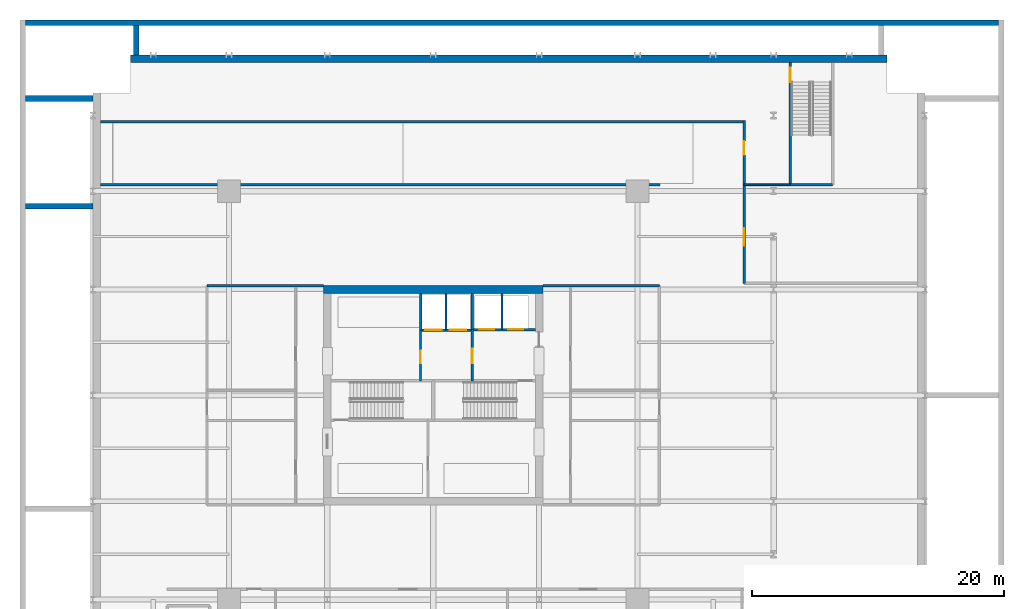
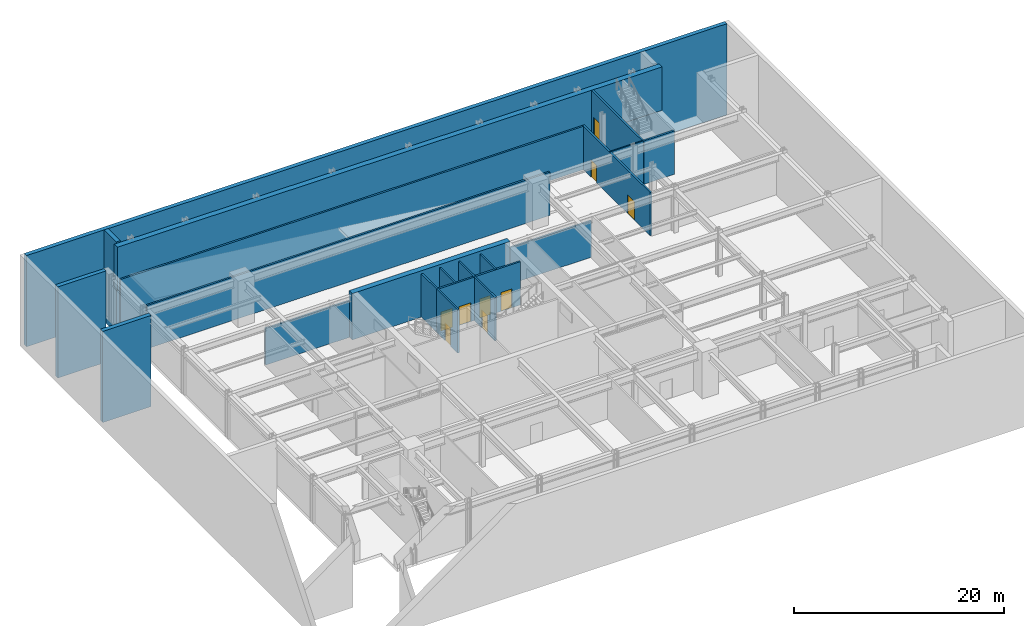
# One storey, part 4 of 9: 22 walls, 9 doors, 9 openings.
"""IFC4 building model written with IfcOpenShell, lengths in metres."""

from ifc_helpers import new_model, si_unit, direction, frame, frame_2d, origin, place, context, subcontext, project, spatial, rectangle, extrude, material, layer, layer_set, type_object, element, fill, save


model = new_model("IFC4")

# Units and contexts
model_context = context("Model", 3, precision=1e-05, world=origin(), true_north=direction((0.0, 1.0)))
body_context = subcontext(model_context, "Body", "Model", "MODEL_VIEW")
ifc_project = project(units=[si_unit("LENGTHUNIT", "METRE"), si_unit("AREAUNIT", "SQUARE_METRE"), si_unit("VOLUMEUNIT", "CUBIC_METRE"), si_unit("PLANEANGLEUNIT", "RADIAN"), si_unit("MASSUNIT", "GRAM", prefix="KILO")], contexts=[model_context])

# Site, building, storey
site_placement = place(None, origin())
site = spatial("IfcSite", under=ifc_project, at=site_placement, CompositionType="ELEMENT")
building_placement = place(site_placement, origin())
building = spatial("IfcBuilding", under=site, at=building_placement, Name="Drelvath Grand Hotel", CompositionType="ELEMENT")
storey_placement = place(building_placement, frame((0.0, 0.0, -5.39990234375)))
storey = spatial("IfcBuildingStorey", under=building, at=storey_placement, Name="B1", CompositionType="ELEMENT", Elevation=-5.39990234375)

# Walls
ifc_material_1 = material(Name="Concrete f'c 55 MPa", Category="concrete")
ifc_layer_1 = layer(ifc_material_1, 0.60009765625)
ifc_layer_set_1 = layer_set([ifc_layer_1], Name="Concrete f'c 55 MPa")
wall_type_1 = type_object("IfcWallType", Name="Basement Perimeter Retaining Wall 600", PredefinedType="USERDEFINED", material=ifc_layer_set_1)
wall_1_placement = place(storey_placement, frame((-24.0, 53.699951171875, 0.0), z_axis=(0.0, 0.0, 1.0), x_axis=(1.0, 0.0, 0.0)))
element("IfcWall", 1, at=wall_1_placement, inside=storey, type_object=wall_type_1, Name="B1 Perimeter Retaining Wall N", ObjectType="RETAININGWALL", PredefinedType="USERDEFINED", context=body_context, shape_type="SweptSolid", body=[
    extrude(rectangle(XDim=60.0, YDim=0.60009765625, at=frame_2d((30.0, 0.0))), origin(), (0.0, 0.0, 1.0), 5.0498046875),
])
wall_2_placement = place(storey_placement, frame((-32.324951171875, 56.550048828125, -5.400146484375), z_axis=(0.0, 0.0, 1.0), x_axis=(1.0, 0.0, 0.0)))
element("IfcWall", 2, at=wall_2_placement, inside=storey, type_object=wall_type_1, Name="Sidewalk Frost Retaining Wall CURB-N-OUT", ObjectType="RETAININGWALL", PredefinedType="USERDEFINED", context=body_context, shape_type="SweptSolid", body=[
    extrude(rectangle(XDim=77.14990234375, YDim=0.449951171875, at=frame_2d((38.574951171875, 0.0))), origin(), (0.0, 0.0, 1.0), 10.6201171875),
])
for number, where, z_axis, x_axis, name in (
    (3, (-32.324951171875, 42.0, -5.400146484375), (0.0, 0.0, 1.0), (1.0, 0.0, 0.0), "Sidewalk Frost Retaining Wall CURB-W-Y42"),
    (4, (-32.324951171875, 50.550048828125, -5.400146484375), (0.0, 0.0, 1.0), (1.0, 0.0, 0.0), "Sidewalk Frost Retaining Wall CURB-W-Y54"),
):
    element("IfcWall", number, at=place(storey_placement, frame(where, z_axis=z_axis, x_axis=x_axis)), inside=storey, type_object=wall_type_1, Name=name, ObjectType="RETAININGWALL", PredefinedType="USERDEFINED", context=body_context, shape_type="SweptSolid", body=[
        extrude(rectangle(XDim=5.324951171875, YDim=0.449951171875, at=frame_2d((2.66259765625, 0.0))), origin(), (0.0, 0.0, 1.0), 10.6201171875),
    ])
wall_3_placement = place(storey_placement, frame((-23.550048828125, 54.0, -5.400146484375), z_axis=(0.0, 0.0, 1.0), x_axis=(0.0, 1.0, 0.0)))
element("IfcWall", 5, at=wall_3_placement, inside=storey, type_object=wall_type_1, Name="Sidewalk Frost Retaining Wall CURB-N-X1", ObjectType="RETAININGWALL", PredefinedType="USERDEFINED", context=body_context, shape_type="SweptSolid", body=[
    extrude(rectangle(XDim=2.324951171875, YDim=0.449951171875, at=frame_2d((1.16259765625, 0.0))), origin(), (0.0, 0.0, 1.0), 10.6201171875),
])

# Wall, openings, doors
ifc_material_2 = material(Name="Concrete C40/50", Category="concrete")
ifc_layer_2 = layer(ifc_material_2, 0.199951171875)
ifc_layer_set_2 = layer_set([ifc_layer_2], Name="Concrete C40/50")
wall_type_2 = type_object("IfcWallType", Name="Core Hoistway Fire Wall 200", PredefinedType="SOLIDWALL", material=ifc_layer_set_2)
wall_4_placement = place(storey_placement, frame((3.10009765625, 32.219970703125, 0.0), z_axis=(0.0, 0.0, 1.0), x_axis=(1.0, 0.0, 0.0)))
wall_4 = element("IfcWall", 6, at=wall_4_placement, inside=storey, type_object=wall_type_2, Name="B1 FSAE Hoistway Front Wall", PredefinedType="SOLIDWALL", context=body_context, shape_type="SweptSolid", body=[
    extrude(rectangle(XDim=5.0, YDim=0.199951171875, at=frame_2d((2.5, 0.0))), origin(), (0.0, 0.0, 1.0), 5.0498046875),
])
opening_1_placement = place(wall_4_placement, frame((0.550048828125, 0.0, 0.0)))
opening_1 = element("IfcOpeningElement", 7, at=opening_1_placement, cuts=wall_4, Name="Opening LD-FSAE-1", PredefinedType="OPENING", context=body_context, shape_type="SweptSolid", body=[
    extrude(rectangle(XDim=1.199951171875, YDim=2.199951171875, at=frame_2d((0.60009765625, 1.10009765625))), frame((0.0, 0.10986328125, 0.0), z_axis=(0.0, -1.0, 0.0), x_axis=(1.0, 0.0, 0.0)), (0.0, 0.0, 1.0), 0.219970703125),
])
opening_2_placement = place(wall_4_placement, frame((2.85009765625, 0.0, 0.0)))
opening_2 = element("IfcOpeningElement", 8, at=opening_2_placement, cuts=wall_4, Name="Opening LD-FSAE-2", PredefinedType="OPENING", context=body_context, shape_type="SweptSolid", body=[
    extrude(rectangle(XDim=1.199951171875, YDim=2.199951171875, at=frame_2d((0.60009765625, 1.10009765625))), frame((0.0, 0.10986328125, 0.0), z_axis=(0.0, -1.0, 0.0), x_axis=(1.0, 0.0, 0.0)), (0.0, 0.0, 1.0), 0.219970703125),
])
ifc_material_3 = material(Name="Stainless Steel S355", Category="steel")
door_type_1 = type_object("IfcDoorType", Name="FSAE Lift Sliding Landing Door 1200x2200", OperationType="NOTDEFINED", PredefinedType="DOOR", material=ifc_material_3)
door_1_placement = place(opening_1_placement, origin())
door_1 = element("IfcDoor", 9, at=door_1_placement, inside=storey, type_object=door_type_1, Name="B1 Lift FSAE-1 Landing Door", OperationType="SLIDING_TO_LEFT", OverallHeight=2.199951171875, OverallWidth=1.199951171875, PredefinedType="DOOR", context=body_context, shape_type="SweptSolid", body=[
    extrude(rectangle(XDim=1.199951171875, YDim=2.199951171875, at=frame_2d((0.60009765625, 1.10009765625))), frame((0.0, 0.02490234375, 0.0), z_axis=(0.0, -1.0, 0.0), x_axis=(1.0, 0.0, 0.0)), (0.0, 0.0, 1.0), 0.050048828125),
])
fill(opening_1, door_1)
door_2_placement = place(opening_2_placement, origin())
door_2 = element("IfcDoor", 10, at=door_2_placement, inside=storey, type_object=door_type_1, Name="B1 Lift FSAE-2 Landing Door", OperationType="SLIDING_TO_LEFT", OverallHeight=2.199951171875, OverallWidth=1.199951171875, PredefinedType="DOOR", context=body_context, shape_type="SweptSolid", body=[
    extrude(rectangle(XDim=1.199951171875, YDim=2.199951171875, at=frame_2d((0.60009765625, 1.10009765625))), frame((0.0, 0.02490234375, 0.0), z_axis=(0.0, -1.0, 0.0), x_axis=(1.0, 0.0, 0.0)), (0.0, 0.0, 1.0), 0.050048828125),
])
fill(opening_2, door_2)

# Wall
wall_5_placement = place(storey_placement, frame((3.10009765625, 32.219970703125, 0.0), z_axis=(0.0, 0.0, 1.0), x_axis=(0.0, 1.0, 0.0)))
element("IfcWall", 11, at=wall_5_placement, inside=storey, type_object=wall_type_2, Name="B1 FSAE Hoistway West Wall", PredefinedType="SOLIDWALL", context=body_context, shape_type="SweptSolid", body=[
    extrude(rectangle(XDim=2.880126953125, YDim=0.199951171875, at=frame_2d((1.43994140625, 0.0))), origin(), (0.0, 0.0, 1.0), 5.0498046875),
])

# Wall, openings, doors
wall_6_placement = place(storey_placement, frame((-1.0, 32.179931640625, 0.0), z_axis=(0.0, 0.0, 1.0), x_axis=(1.0, 0.0, 0.0)))
wall_6 = element("IfcWall", 12, at=wall_6_placement, inside=storey, type_object=wall_type_2, Name="B1 Service Lift Hoistway Wall", PredefinedType="SOLIDWALL", context=body_context, shape_type="SweptSolid", body=[
    extrude(rectangle(XDim=4.10009765625, YDim=0.199951171875, at=frame_2d((2.050048828125, 0.0))), origin(), (0.0, 0.0, 1.0), 5.0498046875),
])
opening_3_placement = place(wall_6_placement, frame((0.3701171875, 0.0, 0.0)))
opening_3 = element("IfcOpeningElement", 13, at=opening_3_placement, cuts=wall_6, Name="Opening LD-SV-2", PredefinedType="OPENING", context=body_context, shape_type="SweptSolid", body=[
    extrude(rectangle(XDim=1.300048828125, YDim=2.199951171875, at=frame_2d((0.64990234375, 1.10009765625))), frame((0.0, 0.10986328125, 0.0), z_axis=(0.0, -1.0, 0.0), x_axis=(1.0, 0.0, 0.0)), (0.0, 0.0, 1.0), 0.219970703125),
])
opening_4_placement = place(wall_6_placement, frame((2.330078125, 0.0, 0.0)))
opening_4 = element("IfcOpeningElement", 14, at=opening_4_placement, cuts=wall_6, Name="Opening LD-SV-1", PredefinedType="OPENING", context=body_context, shape_type="SweptSolid", body=[
    extrude(rectangle(XDim=1.300048828125, YDim=2.199951171875, at=frame_2d((0.64990234375, 1.10009765625))), frame((0.0, 0.10986328125, 0.0), z_axis=(0.0, -1.0, 0.0), x_axis=(1.0, 0.0, 0.0)), (0.0, 0.0, 1.0), 0.219970703125),
])
door_type_2 = type_object("IfcDoorType", Name="Service Lift Sliding Landing Door 1300x2200", OperationType="NOTDEFINED", PredefinedType="DOOR", material=ifc_material_3)
door_3_placement = place(opening_3_placement, origin())
door_3 = element("IfcDoor", 15, at=door_3_placement, inside=storey, type_object=door_type_2, Name="B1 Lift SV-2 Landing Door", OperationType="SLIDING_TO_LEFT", OverallHeight=2.199951171875, OverallWidth=1.300048828125, PredefinedType="DOOR", context=body_context, shape_type="SweptSolid", body=[
    extrude(rectangle(XDim=1.300048828125, YDim=2.199951171875, at=frame_2d((0.64990234375, 1.10009765625))), frame((0.0, 0.02490234375, 0.0), z_axis=(0.0, -1.0, 0.0), x_axis=(1.0, 0.0, 0.0)), (0.0, 0.0, 1.0), 0.050048828125),
])
fill(opening_3, door_3)
door_4_placement = place(opening_4_placement, origin())
door_4 = element("IfcDoor", 16, at=door_4_placement, inside=storey, type_object=door_type_2, Name="B1 Lift SV-1 Landing Door", OperationType="SLIDING_TO_LEFT", OverallHeight=2.199951171875, OverallWidth=1.300048828125, PredefinedType="DOOR", context=body_context, shape_type="SweptSolid", body=[
    extrude(rectangle(XDim=1.300048828125, YDim=2.199951171875, at=frame_2d((0.64990234375, 1.10009765625))), frame((0.0, 0.02490234375, 0.0), z_axis=(0.0, -1.0, 0.0), x_axis=(1.0, 0.0, 0.0)), (0.0, 0.0, 1.0), 0.050048828125),
])
fill(opening_4, door_4)

# Wall
wall_7_placement = place(storey_placement, frame((-1.0, 32.179931640625, 0.0), z_axis=(0.0, 0.0, 1.0), x_axis=(0.0, 1.0, 0.0)))
element("IfcWall", 17, at=wall_7_placement, inside=storey, type_object=wall_type_2, Name="B1 Service Lift West Wall", PredefinedType="SOLIDWALL", context=body_context, shape_type="SweptSolid", body=[
    extrude(rectangle(XDim=2.920166015625, YDim=0.199951171875, at=frame_2d((1.4599609375, 0.0))), origin(), (0.0, 0.0, 1.0), 5.0498046875),
])

# Wall, opening, door
ifc_layer_3 = layer(ifc_material_2, 0.199951171875)
ifc_layer_set_3 = layer_set([ifc_layer_3], Name="Concrete C40/50")
wall_type_3 = type_object("IfcWallType", Name="Core Shaft Fire Wall 200", PredefinedType="SOLIDWALL", material=ifc_layer_set_3)
wall_8_placement = place(storey_placement, frame((28.320068359375, 43.699951171875, 0.0), z_axis=(0.0, 0.0, 1.0), x_axis=(0.0, 1.0, 0.0)))
wall_8 = element("IfcWall", 18, at=wall_8_placement, inside=storey, type_object=wall_type_3, Name="B1 Stair ST-4 West Wall", PredefinedType="SOLIDWALL", context=body_context, shape_type="SweptSolid", body=[
    extrude(rectangle(XDim=9.699951171875, YDim=0.199951171875, at=frame_2d((4.85009765625, 0.0))), origin(), (0.0, 0.0, 1.0), 5.0498046875),
])
opening_5_placement = place(wall_8_placement, frame((8.14990234375, 0.0, 0.0)))
opening_5 = element("IfcOpeningElement", 19, at=opening_5_placement, cuts=wall_8, Name="Opening D-B1-013", PredefinedType="OPENING", context=body_context, shape_type="SweptSolid", body=[
    extrude(rectangle(XDim=1.14990234375, YDim=2.14990234375, at=frame_2d((0.574951171875, 1.074951171875))), frame((0.0, 0.10986328125, 0.0), z_axis=(0.0, -1.0, 0.0), x_axis=(1.0, 0.0, 0.0)), (0.0, 0.0, 1.0), 0.219970703125),
])
ifc_material_4 = material(Name="Painted Steel S275", Category="steel")
door_type_3 = type_object("IfcDoorType", Name="Podium Stairwell Fire Door 1150x2150", OperationType="NOTDEFINED", PredefinedType="DOOR", material=ifc_material_4)
door_5_placement = place(opening_5_placement, origin())
door_5 = element("IfcDoor", 20, at=door_5_placement, inside=storey, type_object=door_type_3, Name="B1 Exit Stair ST-4 Entry Door", OperationType="SINGLE_SWING_RIGHT", OverallHeight=2.14990234375, OverallWidth=1.14990234375, PredefinedType="DOOR", context=body_context, shape_type="SweptSolid", body=[
    extrude(rectangle(XDim=1.14990234375, YDim=2.14990234375, at=frame_2d((0.574951171875, 1.074951171875))), frame((0.0, 0.02490234375, 0.0), z_axis=(0.0, -1.0, 0.0), x_axis=(1.0, 0.0, 0.0)), (0.0, 0.0, 1.0), 0.050048828125),
])
fill(opening_5, door_5)

# Wall
wall_9_placement = place(storey_placement, frame((28.320068359375, 43.699951171875, 0.0), z_axis=(0.0, 0.0, 1.0), x_axis=(1.0, 0.0, 0.0)))
element("IfcWall", 21, at=wall_9_placement, inside=storey, type_object=wall_type_3, Name="B1 Stair ST-4 South Wall", PredefinedType="SOLIDWALL", context=body_context, shape_type="SweptSolid", body=[
    extrude(rectangle(XDim=3.35986328125, YDim=0.199951171875, at=frame_2d((1.679931640625, 0.0))), origin(), (0.0, 0.0, 1.0), 5.0498046875),
])

# Wall, openings, doors
wall_10_placement = place(storey_placement, frame((24.659912109375, 35.8798828125, 0.0), z_axis=(0.0, 0.0, 1.0), x_axis=(0.0, 1.0, 0.0)))
wall_10 = element("IfcWall", 22, at=wall_10_placement, inside=storey, type_object=wall_type_3, Name="B1 Refuse & ST-4 West Wall", PredefinedType="SOLIDWALL", context=body_context, shape_type="SweptSolid", body=[
    extrude(rectangle(XDim=12.920166015625, YDim=0.199951171875, at=frame_2d((6.4599609375, 0.0))), origin(), (0.0, 0.0, 1.0), 5.0498046875),
])
opening_6_placement = place(wall_10_placement, frame((3.0, 0.0, 0.0)))
opening_6 = element("IfcOpeningElement", 23, at=opening_6_placement, cuts=wall_10, Name="Opening D-B1-027", PredefinedType="OPENING", context=body_context, shape_type="SweptSolid", body=[
    extrude(rectangle(XDim=1.360107421875, YDim=2.199951171875, at=frame_2d((0.68017578125, 1.10009765625))), frame((0.0, 0.10986328125, 0.0), z_axis=(0.0, -1.0, 0.0), x_axis=(1.0, 0.0, 0.0)), (0.0, 0.0, 1.0), 0.219970703125),
])
opening_7_placement = place(wall_10_placement, frame((10.199951171875, 0.0, 0.0)))
opening_7 = element("IfcOpeningElement", 24, at=opening_7_placement, cuts=wall_10, Name="Opening D-B1-028", PredefinedType="OPENING", context=body_context, shape_type="SweptSolid", body=[
    extrude(rectangle(XDim=1.080078125, YDim=2.0400390625, at=frame_2d((0.5400390625, 1.02001953125))), frame((0.0, 0.10986328125, 0.0), z_axis=(0.0, -1.0, 0.0), x_axis=(1.0, 0.0, 0.0)), (0.0, 0.0, 1.0), 0.219970703125),
])
door_type_4 = type_object("IfcDoorType", Name="Core Corridor Fire Door 1080x2100", OperationType="NOTDEFINED", PredefinedType="DOOR", material=ifc_material_4)
door_6_placement = place(opening_7_placement, origin())
door_6 = element("IfcDoor", 25, at=door_6_placement, inside=storey, type_object=door_type_4, Name="B1 ST-4 Lobby Door", OperationType="SINGLE_SWING_RIGHT", OverallHeight=2.0400390625, OverallWidth=1.080078125, PredefinedType="DOOR", context=body_context, shape_type="SweptSolid", body=[
    extrude(rectangle(XDim=1.080078125, YDim=2.0400390625, at=frame_2d((0.5400390625, 1.02001953125))), frame((0.0, 0.02490234375, 0.0), z_axis=(0.0, -1.0, 0.0), x_axis=(1.0, 0.0, 0.0)), (0.0, 0.0, 1.0), 0.050048828125),
])
fill(opening_7, door_6)
door_type_5 = type_object("IfcDoorType", Name="Plant Equipment Double Fire Door 1360x2200", OperationType="NOTDEFINED", PredefinedType="DOOR", material=ifc_material_4)
door_7_placement = place(opening_6_placement, origin())
door_7 = element("IfcDoor", 26, at=door_7_placement, inside=storey, type_object=door_type_5, Name="B1 Refuse Room Door", OperationType="SINGLE_SWING_LEFT", OverallHeight=2.199951171875, OverallWidth=1.360107421875, PredefinedType="DOOR", context=body_context, shape_type="SweptSolid", body=[
    extrude(rectangle(XDim=1.360107421875, YDim=2.199951171875, at=frame_2d((0.68017578125, 1.10009765625))), frame((0.0, 0.02490234375, 0.0), z_axis=(0.0, -1.0, 0.0), x_axis=(1.0, 0.0, 0.0)), (0.0, 0.0, 1.0), 0.050048828125),
])
fill(opening_6, door_7)

# Walls
wall_11_placement = place(storey_placement, frame((-26.39990234375, 43.699951171875, 0.0), z_axis=(0.0, 0.0, 1.0), x_axis=(1.0, 0.0, 0.0)))
element("IfcWall", 27, at=wall_11_placement, inside=storey, type_object=wall_type_3, Name="B1 Ramp R1 South Shaft Wall", PredefinedType="SOLIDWALL", context=body_context, shape_type="SweptSolid", body=[
    extrude(rectangle(XDim=44.39990234375, YDim=0.199951171875, at=frame_2d((22.199951171875, 0.0))), origin(), (0.0, 0.0, 1.0), 5.0498046875),
])
wall_12_placement = place(storey_placement, frame((-26.39990234375, 48.699951171875, 0.0), z_axis=(0.0, 0.0, 1.0), x_axis=(1.0, 0.0, 0.0)))
element("IfcWall", 28, at=wall_12_placement, inside=storey, type_object=wall_type_3, Name="B1 Ramp R1 North Shaft Wall", PredefinedType="SOLIDWALL", context=body_context, shape_type="SweptSolid", body=[
    extrude(rectangle(XDim=51.059814453125, YDim=0.199951171875, at=frame_2d((25.52978515625, 0.0))), origin(), (0.0, 0.0, 1.0), 5.0498046875),
])
ifc_material_5 = material(Name="Gypsum Fireboard Partition")
ifc_layer_4 = layer(ifc_material_5, 0.1650390625)
ifc_layer_set_4 = layer_set([ifc_layer_4], Name="Gypsum Fireboard Partition")
wall_type_4 = type_object("IfcWallType", Name="Core Shaft Partition 165", PredefinedType="PARTITIONING", material=ifc_layer_set_4)
wall_13_placement = place(storey_placement, frame((5.449951171875, 32.219970703125, 0.0), z_axis=(0.0, 0.0, 1.0), x_axis=(0.0, 1.0, 0.0)))
element("IfcWall", 29, at=wall_13_placement, inside=storey, type_object=wall_type_4, Name="B1 FSAE Hoistway Divider", PredefinedType="PARTITIONING", context=body_context, shape_type="SweptSolid", body=[
    extrude(rectangle(XDim=2.880126953125, YDim=0.1650390625, at=frame_2d((1.43994140625, 0.0))), origin(), (0.0, 0.0, 1.0), 5.0498046875),
])
wall_14_placement = place(storey_placement, frame((1.0, 32.179931640625, 0.0), z_axis=(0.0, 0.0, 1.0), x_axis=(0.0, 1.0, 0.0)))
element("IfcWall", 30, at=wall_14_placement, inside=storey, type_object=wall_type_4, Name="B1 Service Lift Divider", PredefinedType="PARTITIONING", context=body_context, shape_type="SweptSolid", body=[
    extrude(rectangle(XDim=2.920166015625, YDim=0.1650390625, at=frame_2d((1.4599609375, 0.0))), origin(), (0.0, 0.0, 1.0), 5.0498046875),
])
ifc_layer_5 = layer(ifc_material_5, 0.135009765625)
ifc_layer_set_5 = layer_set([ifc_layer_5], Name="Gypsum Fireboard Partition")
wall_type_5 = type_object("IfcWallType", Name="Corridor Fire Barrier Wall 135", PredefinedType="PARTITIONING", material=ifc_layer_set_5)
wall_15_placement = place(storey_placement, frame((24.659912109375, 43.699951171875, 0.0), z_axis=(0.0, 0.0, 1.0), x_axis=(1.0, 0.0, 0.0)))
element("IfcWall", 31, at=wall_15_placement, inside=storey, type_object=wall_type_5, Name="B1 ST-4 Lobby South Wall", PredefinedType="PARTITIONING", context=body_context, shape_type="SweptSolid", body=[
    extrude(rectangle(XDim=3.66015625, YDim=0.135009765625, at=frame_2d((1.830078125, 0.0))), origin(), (0.0, 0.0, 1.0), 5.0498046875),
])

# Wall, opening, door
ifc_layer_6 = layer(ifc_material_5, 0.179931640625)
ifc_layer_set_6 = layer_set([ifc_layer_6], Name="Gypsum Fireboard Partition")
wall_type_6 = type_object("IfcWallType", Name="FSAE Smoke Lobby Fire Wall 180", PredefinedType="SOLIDWALL", material=ifc_layer_set_6)
wall_16_placement = place(storey_placement, frame((3.10009765625, 28.159912109375, 0.0), z_axis=(0.0, 0.0, 1.0), x_axis=(0.0, 1.0, 0.0)))
wall_16 = element("IfcWall", 32, at=wall_16_placement, inside=storey, type_object=wall_type_6, Name="B1 FSAE Smoke Lobby West Wall", PredefinedType="SOLIDWALL", context=body_context, shape_type="SweptSolid", body=[
    extrude(rectangle(XDim=4.06005859375, YDim=0.179931640625, at=frame_2d((2.030029296875, 0.0))), origin(), (0.0, 0.0, 1.0), 5.0498046875),
])
opening_8_placement = place(wall_16_placement, frame((1.39990234375, 0.0, 0.0)))
opening_8 = element("IfcOpeningElement", 33, at=opening_8_placement, cuts=wall_16, Name="Opening D-B1-005", PredefinedType="OPENING", context=body_context, shape_type="SweptSolid", body=[
    extrude(rectangle(XDim=1.1201171875, YDim=2.10009765625, at=frame_2d((0.56005859375, 1.050048828125))), frame((0.0, 0.099853515625, 0.0), z_axis=(0.0, -1.0, 0.0), x_axis=(1.0, 0.0, 0.0)), (0.0, 0.0, 1.0), 0.199951171875),
])
door_type_6 = type_object("IfcDoorType", Name="FSAE Smoke Lobby Fire Door 1120x2100", OperationType="NOTDEFINED", PredefinedType="DOOR", material=ifc_material_4)
door_8_placement = place(opening_8_placement, origin())
door_8 = element("IfcDoor", 34, at=door_8_placement, inside=storey, type_object=door_type_6, Name="B1 FSAE Lobby Service Vestibule Door", OperationType="SINGLE_SWING_RIGHT", OverallHeight=2.10009765625, OverallWidth=1.1201171875, PredefinedType="DOOR", context=body_context, shape_type="SweptSolid", body=[
    extrude(rectangle(XDim=1.1201171875, YDim=2.10009765625, at=frame_2d((0.56005859375, 1.050048828125))), frame((0.0, 0.02490234375, 0.0), z_axis=(0.0, -1.0, 0.0), x_axis=(1.0, 0.0, 0.0)), (0.0, 0.0, 1.0), 0.050048828125),
])
fill(opening_8, door_8)

wall_17_placement = place(storey_placement, frame((-1.0, 28.159912109375, 0.0), z_axis=(0.0, 0.0, 1.0), x_axis=(0.0, 1.0, 0.0)))
wall_17 = element("IfcWall", 35, at=wall_17_placement, inside=storey, type_object=wall_type_6, Name="B1 Service Vestibule West Wall", PredefinedType="SOLIDWALL", context=body_context, shape_type="SweptSolid", body=[
    extrude(rectangle(XDim=4.02001953125, YDim=0.179931640625, at=frame_2d((2.010009765625, 0.0))), origin(), (0.0, 0.0, 1.0), 5.0498046875),
])
opening_9_placement = place(wall_17_placement, frame((1.39990234375, 0.0, 0.0)))
opening_9 = element("IfcOpeningElement", 36, at=opening_9_placement, cuts=wall_17, Name="Opening D-B1-009", PredefinedType="OPENING", context=body_context, shape_type="SweptSolid", body=[
    extrude(rectangle(XDim=1.0, YDim=2.10009765625, at=frame_2d((0.5, 1.050048828125))), frame((0.0, 0.099853515625, 0.0), z_axis=(0.0, -1.0, 0.0), x_axis=(1.0, 0.0, 0.0)), (0.0, 0.0, 1.0), 0.199951171875),
])
door_type_7 = type_object("IfcDoorType", Name="Core Service Fire Door 1000x2100", OperationType="NOTDEFINED", PredefinedType="DOOR", material=ifc_material_4)
door_9_placement = place(opening_9_placement, origin())
door_9 = element("IfcDoor", 37, at=door_9_placement, inside=storey, type_object=door_type_7, Name="B1 Service Vestibule West Door", OperationType="SINGLE_SWING_LEFT", OverallHeight=2.10009765625, OverallWidth=1.0, PredefinedType="DOOR", context=body_context, shape_type="SweptSolid", body=[
    extrude(rectangle(XDim=1.0, YDim=2.10009765625, at=frame_2d((0.5, 1.050048828125))), frame((0.0, 0.02490234375, 0.0), z_axis=(0.0, -1.0, 0.0), x_axis=(1.0, 0.0, 0.0)), (0.0, 0.0, 1.0), 0.050048828125),
])
fill(opening_9, door_9)

# Walls
for number, where, z_axis, x_axis, name in (
    (38, (-17.93994140625, 35.699951171875, 0.0), (0.0, 0.0, 1.0), (1.0, 0.0, 0.0), "B1 B1 North-West Island Fire Wall"),
    (39, (8.699951171875, 35.699951171875, 0.0), (0.0, 0.0, 1.0), (1.0, 0.0, 0.0), "B1 B1 North-East Island Fire Wall"),
):
    element("IfcWall", number, at=place(storey_placement, frame(where, z_axis=z_axis, x_axis=x_axis)), inside=storey, type_object=wall_type_6, Name=name, PredefinedType="SOLIDWALL", context=body_context, shape_type="SweptSolid", body=[
        extrude(rectangle(XDim=9.239990234375, YDim=0.179931640625, at=frame_2d((4.6201171875, 0.0))), origin(), (0.0, 0.0, 1.0), 4.26171875),
    ])
ifc_material_6 = material(Name="Concrete f'c 70 MPa", Category="concrete")
ifc_layer_7 = layer(ifc_material_6, 0.60009765625)
ifc_layer_set_7 = layer_set([ifc_layer_7], Name="Concrete f'c 70 MPa")
wall_type_7 = type_object("IfcWallType", Name="Lower Core RC Shear Wall 600", PredefinedType="SHEAR", material=ifc_layer_set_7)
wall_18_placement = place(storey_placement, frame((-8.699951171875, 35.39990234375, 0.0), z_axis=(0.0, 0.0, 1.0), x_axis=(1.0, 0.0, 0.0)))
element("IfcWall", 40, at=wall_18_placement, inside=storey, type_object=wall_type_7, Name="B1 Central Core Shear Wall N", PredefinedType="SHEAR", context=body_context, shape_type="SweptSolid", body=[
    extrude(rectangle(XDim=17.39990234375, YDim=0.60009765625, at=frame_2d((8.699951171875, 0.0))), origin(), (0.0, 0.0, 1.0), 5.39990234375),
])

save(model, "model.ifc")
